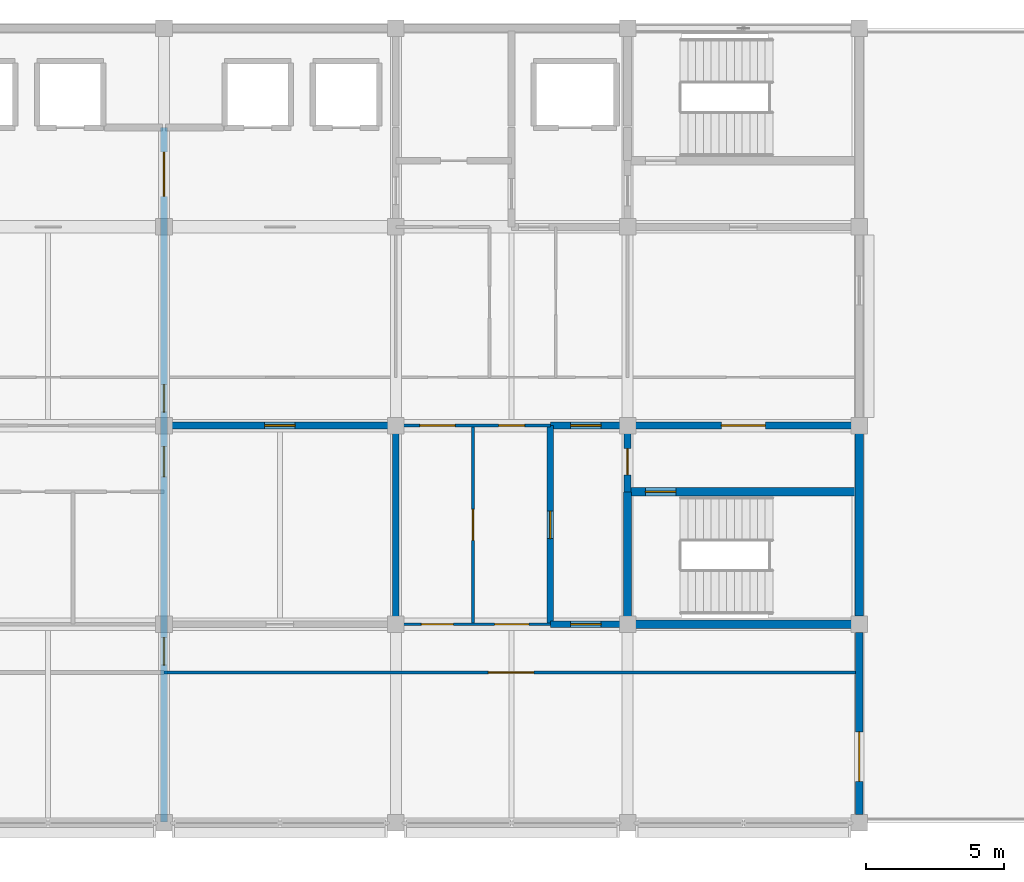
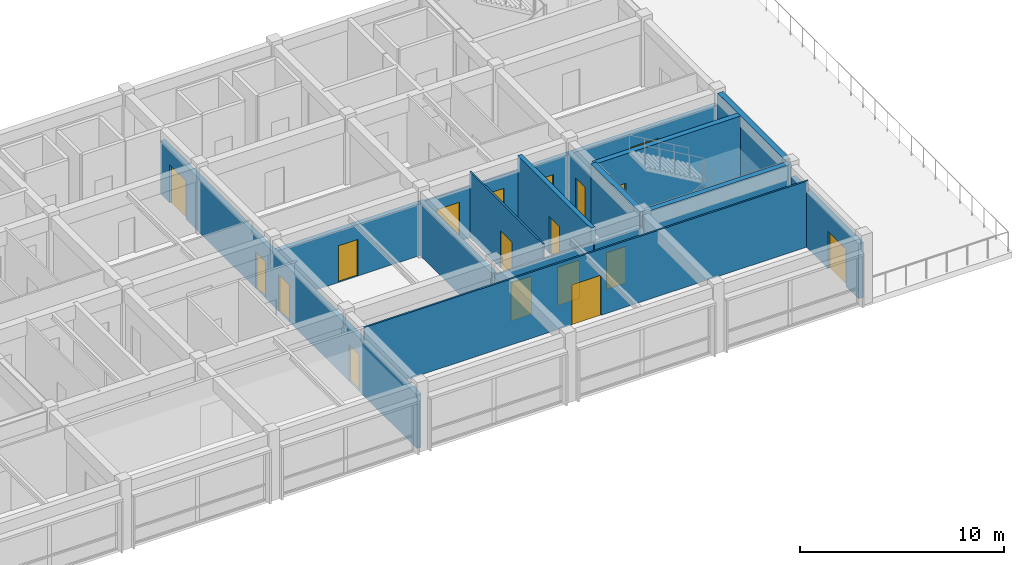
# One storey, part 9 of 13: 18 doors, 16 walls, 18 openings.
"""IFC4 building model written with IfcOpenShell, lengths in metres."""

from ifc_helpers import new_model, si_unit, direction, frame, frame_2d, origin, place, context, subcontext, project, spatial, rectangle, extrude, material, layer, layer_set, type_object, element, fill, save


model = new_model("IFC4")

# Units and contexts
model_context = context("Model", 3, precision=1e-05, world=origin(), true_north=direction((0.0, 1.0)))
body_context = subcontext(model_context, "Body", "Model", "MODEL_VIEW")
ifc_project = project(units=[si_unit("LENGTHUNIT", "METRE"), si_unit("AREAUNIT", "SQUARE_METRE"), si_unit("VOLUMEUNIT", "CUBIC_METRE"), si_unit("PLANEANGLEUNIT", "RADIAN"), si_unit("MASSUNIT", "GRAM", prefix="KILO")], contexts=[model_context])

# Site, building, storey
site_placement = place(None, origin())
site = spatial("IfcSite", under=ifc_project, at=site_placement, CompositionType="ELEMENT")
building_placement = place(site_placement, origin())
building = spatial("IfcBuilding", under=site, at=building_placement, Name="Chengyuan Square Courthouse", CompositionType="ELEMENT")
storey_placement = place(building_placement, frame((0.0, 0.0, 60.300048828125)))
storey = spatial("IfcBuildingStorey", under=building, at=storey_placement, Name="L14", CompositionType="ELEMENT", Elevation=60.300048828125)

# Wall, opening, door
ifc_material_1 = material(Name="Concrete C40", Category="concrete")
ifc_layer_1 = layer(ifc_material_1, 0.280029296875)
ifc_layer_set_1 = layer_set([ifc_layer_1], Name="Concrete C40")
wall_type_1 = type_object("IfcWallType", Name="WL-EW4", PredefinedType="STANDARD", material=ifc_layer_set_1)
wall_1_placement = place(storey_placement, frame((109.199951171875, 79.4951171875, 0.0), z_axis=(0.0, 0.0, 1.0), x_axis=(0.0, 1.0, 0.0)))
wall_1 = element("IfcWall", 1, at=wall_1_placement, inside=storey, type_object=wall_type_1, Name="Exterior Wall WL-L14-E517", PredefinedType="STANDARD", context=body_context, shape_type="SweptSolid", body=[
    extrude(rectangle(XDim=6.60986328125, YDim=0.280029296875, at=frame_2d((3.304931640625, 0.0))), origin(), (0.0, 0.0, 1.0), 3.31005859375),
])
opening_1_placement = place(wall_1_placement, frame((1.205078125, 0.0, 0.0)))
opening_1 = element("IfcOpeningElement", 2, at=opening_1_placement, cuts=wall_1, Name="Opening DR-009", PredefinedType="OPENING", context=body_context, shape_type="SweptSolid", body=[
    extrude(rectangle(XDim=1.800048828125, YDim=2.25, at=frame_2d((0.89990234375, 1.125))), frame((0.0, 0.152099609375, 0.0), z_axis=(0.0, -1.0, 0.0), x_axis=(1.0, 0.0, 0.0)), (0.0, 0.0, 1.0), 0.303955078125),
])
ifc_material_2 = material(Name="Thermally Broken Aluminium Terrace Door", Category="aluminium")
door_type_1 = type_object("IfcDoorType", Name="DT-02", OperationType="DOUBLE_DOOR_SINGLE_SWING", PredefinedType="DOOR", material=ifc_material_2)
door_1_placement = place(opening_1_placement, frame((1.800048828125, 0.0, 0.0), z_axis=(0.0, 0.0, 1.0), x_axis=(-1.0, 0.0, 0.0)))
door_1 = element("IfcDoor", 3, at=door_1_placement, inside=storey, type_object=door_type_1, Name="Planted Terrace Access Door DR-009", OperationType="DOUBLE_DOOR_SINGLE_SWING", OverallHeight=2.25, OverallWidth=1.800048828125, PredefinedType="DOOR", context=body_context, shape_type="SweptSolid", body=[
    extrude(rectangle(XDim=1.800048828125, YDim=2.25, at=frame_2d((0.89990234375, 1.125))), frame((0.0, 0.02490234375, 0.0), z_axis=(0.0, -1.0, 0.0), x_axis=(1.0, 0.0, 0.0)), (0.0, 0.0, 1.0), 0.050048828125),
])
fill(opening_1, door_1)

ifc_layer_2 = layer(ifc_material_1, 0.25)
ifc_layer_set_2 = layer_set([ifc_layer_2], Name="Concrete C40")
wall_type_2 = type_object("IfcWallType", Name="WL-FW1", PredefinedType="STANDARD", material=ifc_layer_set_2)
wall_2_placement = place(storey_placement, frame((98.0, 86.39990234375, 0.0), z_axis=(0.0, 0.0, 1.0), x_axis=(1.0, 0.0, 0.0)))
wall_2 = element("IfcWall", 4, at=wall_2_placement, inside=storey, type_object=wall_type_2, Name="Interior Wall WL-L14-I3908", PredefinedType="STANDARD", context=body_context, shape_type="SweptSolid", body=[
    extrude(rectangle(XDim=2.800048828125, YDim=0.25, at=frame_2d((1.39990234375, 0.0))), origin(), (0.0, 0.0, 1.0), 3.10986328125),
])
opening_2_placement = place(wall_2_placement, frame((0.739990234375, 0.0, 0.0)))
opening_2 = element("IfcOpeningElement", 5, at=opening_2_placement, cuts=wall_2, Name="Opening DR-3295", PredefinedType="OPENING", context=body_context, shape_type="SweptSolid", body=[
    extrude(rectangle(XDim=1.10009765625, YDim=2.199951171875, at=frame_2d((0.550048828125, 1.10009765625))), frame((0.0, 0.136962890625, 0.0), z_axis=(0.0, -1.0, 0.0), x_axis=(1.0, 0.0, 0.0)), (0.0, 0.0, 1.0), 0.27392578125),
])
ifc_material_3 = material(Name="Steel Q235B Fire Door", Category="steel")
door_type_2 = type_object("IfcDoorType", Name="DT-10", OperationType="NOTDEFINED", PredefinedType="DOOR", material=ifc_material_3)
door_2_placement = place(opening_2_placement, origin())
door_2 = element("IfcDoor", 6, at=door_2_placement, inside=storey, type_object=door_type_2, Name="Interior Door DR-3295", OperationType="SINGLE_SWING_RIGHT", OverallHeight=2.199951171875, OverallWidth=1.10009765625, PredefinedType="DOOR", context=body_context, shape_type="SweptSolid", body=[
    extrude(rectangle(XDim=1.10009765625, YDim=2.199951171875, at=frame_2d((0.550048828125, 1.10009765625))), frame((0.0, 0.02490234375, 0.0), z_axis=(0.0, -1.0, 0.0), x_axis=(1.0, 0.0, 0.0)), (0.0, 0.0, 1.0), 0.050048828125),
])
fill(opening_2, door_2)

wall_3_placement = place(storey_placement, frame((84.0, 93.60009765625, 0.0), z_axis=(0.0, 0.0, 1.0), x_axis=(1.0, 0.0, 0.0)))
wall_3 = element("IfcWall", 7, at=wall_3_placement, inside=storey, type_object=wall_type_2, Name="Interior Wall WL-L14-I3917", PredefinedType="STANDARD", context=body_context, shape_type="SweptSolid", body=[
    extrude(rectangle(XDim=8.39990234375, YDim=0.25, at=frame_2d((4.199951171875, 0.0))), origin(), (0.0, 0.0, 1.0), 3.10986328125),
])
opening_3_placement = place(wall_3_placement, frame((3.64990234375, 0.0, 0.0)))
opening_3 = element("IfcOpeningElement", 8, at=opening_3_placement, cuts=wall_3, Name="Opening DR-3277", PredefinedType="OPENING", context=body_context, shape_type="SweptSolid", body=[
    extrude(rectangle(XDim=1.10009765625, YDim=2.199951171875, at=frame_2d((0.550048828125, 1.10009765625))), frame((0.0, 0.136962890625, 0.0), z_axis=(0.0, -1.0, 0.0), x_axis=(1.0, 0.0, 0.0)), (0.0, 0.0, 1.0), 0.27392578125),
])
door_3_placement = place(opening_3_placement, origin())
door_3 = element("IfcDoor", 9, at=door_3_placement, inside=storey, type_object=door_type_2, Name="Interior Door DR-3277", OperationType="SINGLE_SWING_RIGHT", OverallHeight=2.199951171875, OverallWidth=1.10009765625, PredefinedType="DOOR", context=body_context, shape_type="SweptSolid", body=[
    extrude(rectangle(XDim=1.10009765625, YDim=2.199951171875, at=frame_2d((0.550048828125, 1.10009765625))), frame((0.0, 0.02490234375, 0.0), z_axis=(0.0, -1.0, 0.0), x_axis=(1.0, 0.0, 0.0)), (0.0, 0.0, 1.0), 0.050048828125),
])
fill(opening_3, door_3)

# Wall, openings, doors
wall_4_placement = place(storey_placement, frame((98.0, 93.60009765625, 0.0), z_axis=(0.0, 0.0, 1.0), x_axis=(1.0, 0.0, 0.0)))
wall_4 = element("IfcWall", 10, at=wall_4_placement, inside=storey, type_object=wall_type_2, Name="Interior Wall WL-L14-I3919", PredefinedType="STANDARD", context=body_context, shape_type="SweptSolid", body=[
    extrude(rectangle(XDim=11.159912109375, YDim=0.25, at=frame_2d((5.580078125, 0.0))), origin(), (0.0, 0.0, 1.0), 3.10986328125),
])
opening_4_placement = place(wall_4_placement, frame((6.199951171875, 0.0, 0.0)))
opening_4 = element("IfcOpeningElement", 11, at=opening_4_placement, cuts=wall_4, Name="Opening DR-3242", PredefinedType="OPENING", context=body_context, shape_type="SweptSolid", body=[
    extrude(rectangle(XDim=1.60009765625, YDim=2.300048828125, at=frame_2d((0.800048828125, 1.14990234375))), frame((0.0, 0.136962890625, 0.0), z_axis=(0.0, -1.0, 0.0), x_axis=(1.0, 0.0, 0.0)), (0.0, 0.0, 1.0), 0.27392578125),
])
opening_5_placement = place(wall_4_placement, frame((0.739990234375, 0.0, 0.0)))
opening_5 = element("IfcOpeningElement", 12, at=opening_5_placement, cuts=wall_4, Name="Opening DR-3280", PredefinedType="OPENING", context=body_context, shape_type="SweptSolid", body=[
    extrude(rectangle(XDim=1.10009765625, YDim=2.199951171875, at=frame_2d((0.550048828125, 1.10009765625))), frame((0.0, 0.136962890625, 0.0), z_axis=(0.0, -1.0, 0.0), x_axis=(1.0, 0.0, 0.0)), (0.0, 0.0, 1.0), 0.27392578125),
])
door_4_placement = place(opening_5_placement, origin())
door_4 = element("IfcDoor", 13, at=door_4_placement, inside=storey, type_object=door_type_2, Name="Interior Door DR-3280", OperationType="SINGLE_SWING_LEFT", OverallHeight=2.199951171875, OverallWidth=1.10009765625, PredefinedType="DOOR", context=body_context, shape_type="SweptSolid", body=[
    extrude(rectangle(XDim=1.10009765625, YDim=2.199951171875, at=frame_2d((0.550048828125, 1.10009765625))), frame((0.0, 0.02490234375, 0.0), z_axis=(0.0, -1.0, 0.0), x_axis=(1.0, 0.0, 0.0)), (0.0, 0.0, 1.0), 0.050048828125),
])
fill(opening_5, door_4)
ifc_material_4 = material(Name="Steel Q235B Glazed Fire Door", Category="steel")
door_type_3 = type_object("IfcDoorType", Name="DT-17", OperationType="DOUBLE_DOOR_SINGLE_SWING", PredefinedType="DOOR", material=ifc_material_4)
door_5_placement = place(opening_4_placement, frame((1.60009765625, 0.0, 0.0), z_axis=(0.0, 0.0, 1.0), x_axis=(-1.0, 0.0, 0.0)))
door_5 = element("IfcDoor", 14, at=door_5_placement, inside=storey, type_object=door_type_3, Name="Interior Door DR-3242", OperationType="DOUBLE_DOOR_SINGLE_SWING", OverallHeight=2.300048828125, OverallWidth=1.60009765625, PredefinedType="DOOR", context=body_context, shape_type="SweptSolid", body=[
    extrude(rectangle(XDim=1.60009765625, YDim=2.300048828125, at=frame_2d((0.800048828125, 1.14990234375))), frame((0.0, 0.02490234375, 0.0), z_axis=(0.0, -1.0, 0.0), x_axis=(1.0, 0.0, 0.0)), (0.0, 0.0, 1.0), 0.050048828125),
])
fill(opening_4, door_5)

wall_5_placement = place(storey_placement, frame((84.0, 79.239990234375, 0.0), z_axis=(0.0, 0.0, 1.0), x_axis=(0.0, 1.0, 0.0)))
wall_5 = element("IfcWall", 15, at=wall_5_placement, inside=storey, type_object=wall_type_2, Name="Interior Wall WL-L14-I3969", PredefinedType="STANDARD", context=body_context, shape_type="SweptSolid", body=[
    extrude(rectangle(XDim=25.159912109375, YDim=0.25, at=frame_2d((12.580078125, 0.0))), origin(), (0.0, 0.0, 1.0), 3.2099609375),
])
opening_6_placement = place(wall_5_placement, frame((22.669921875, 0.0, 0.0)))
opening_6 = element("IfcOpeningElement", 16, at=opening_6_placement, cuts=wall_5, Name="Opening DR-3254", PredefinedType="OPENING", context=body_context, shape_type="SweptSolid", body=[
    extrude(rectangle(XDim=1.60009765625, YDim=2.300048828125, at=frame_2d((0.800048828125, 1.14990234375))), frame((0.0, 0.136962890625, 0.0), z_axis=(0.0, -1.0, 0.0), x_axis=(1.0, 0.0, 0.0)), (0.0, 0.0, 1.0), 0.27392578125),
])
opening_7_placement = place(wall_5_placement, frame((12.5, 0.0, 0.0)))
opening_7 = element("IfcOpeningElement", 17, at=opening_7_placement, cuts=wall_5, Name="Opening DR-3262", PredefinedType="OPENING", context=body_context, shape_type="SweptSolid", body=[
    extrude(rectangle(XDim=1.10009765625, YDim=2.199951171875, at=frame_2d((0.550048828125, 1.10009765625))), frame((0.0, 0.136962890625, 0.0), z_axis=(0.0, -1.0, 0.0), x_axis=(1.0, 0.0, 0.0)), (0.0, 0.0, 1.0), 0.27392578125),
])
opening_8_placement = place(wall_5_placement, frame((14.844970703125, 0.0, 0.0)))
opening_8 = element("IfcOpeningElement", 18, at=opening_8_placement, cuts=wall_5, Name="Opening DR-3263", PredefinedType="OPENING", context=body_context, shape_type="SweptSolid", body=[
    extrude(rectangle(XDim=1.0, YDim=2.199951171875, at=frame_2d((0.5, 1.10009765625))), frame((0.0, 0.136962890625, 0.0), z_axis=(0.0, -1.0, 0.0), x_axis=(1.0, 0.0, 0.0)), (0.0, 0.0, 1.0), 0.27392578125),
])
opening_9_placement = place(wall_5_placement, frame((5.675048828125, 0.0, 0.0)))
opening_9 = element("IfcOpeningElement", 19, at=opening_9_placement, cuts=wall_5, Name="Opening DR-3296", PredefinedType="OPENING", context=body_context, shape_type="SweptSolid", body=[
    extrude(rectangle(XDim=1.0, YDim=2.199951171875, at=frame_2d((0.5, 1.10009765625))), frame((0.0, 0.136962890625, 0.0), z_axis=(0.0, -1.0, 0.0), x_axis=(1.0, 0.0, 0.0)), (0.0, 0.0, 1.0), 0.27392578125),
])
door_6_placement = place(opening_7_placement, origin())
door_6 = element("IfcDoor", 20, at=door_6_placement, inside=storey, type_object=door_type_2, Name="Interior Door DR-3262", OperationType="SINGLE_SWING_LEFT", OverallHeight=2.199951171875, OverallWidth=1.10009765625, PredefinedType="DOOR", context=body_context, shape_type="SweptSolid", body=[
    extrude(rectangle(XDim=1.10009765625, YDim=2.199951171875, at=frame_2d((0.550048828125, 1.10009765625))), frame((0.0, 0.02490234375, 0.0), z_axis=(0.0, -1.0, 0.0), x_axis=(1.0, 0.0, 0.0)), (0.0, 0.0, 1.0), 0.050048828125),
])
fill(opening_7, door_6)
door_type_4 = type_object("IfcDoorType", Name="DT-11", OperationType="NOTDEFINED", PredefinedType="DOOR", material=ifc_material_3)
door_7_placement = place(opening_8_placement, origin())
door_7 = element("IfcDoor", 21, at=door_7_placement, inside=storey, type_object=door_type_4, Name="Interior Door DR-3263", OperationType="SINGLE_SWING_RIGHT", OverallHeight=2.199951171875, OverallWidth=1.0, PredefinedType="DOOR", context=body_context, shape_type="SweptSolid", body=[
    extrude(rectangle(XDim=1.0, YDim=2.199951171875, at=frame_2d((0.5, 1.10009765625))), frame((0.0, 0.02490234375, 0.0), z_axis=(0.0, -1.0, 0.0), x_axis=(1.0, 0.0, 0.0)), (0.0, 0.0, 1.0), 0.050048828125),
])
fill(opening_8, door_7)
door_8_placement = place(opening_9_placement, origin())
door_8 = element("IfcDoor", 22, at=door_8_placement, inside=storey, type_object=door_type_4, Name="Interior Door DR-3296", OperationType="SINGLE_SWING_LEFT", OverallHeight=2.199951171875, OverallWidth=1.0, PredefinedType="DOOR", context=body_context, shape_type="SweptSolid", body=[
    extrude(rectangle(XDim=1.0, YDim=2.199951171875, at=frame_2d((0.5, 1.10009765625))), frame((0.0, 0.02490234375, 0.0), z_axis=(0.0, -1.0, 0.0), x_axis=(1.0, 0.0, 0.0)), (0.0, 0.0, 1.0), 0.050048828125),
])
fill(opening_9, door_8)
door_9_placement = place(opening_6_placement, frame((1.60009765625, 0.0, 0.0), z_axis=(0.0, 0.0, 1.0), x_axis=(-1.0, 0.0, 0.0)))
door_9 = element("IfcDoor", 23, at=door_9_placement, inside=storey, type_object=door_type_3, Name="Interior Door DR-3254", OperationType="DOUBLE_DOOR_SINGLE_SWING", OverallHeight=2.300048828125, OverallWidth=1.60009765625, PredefinedType="DOOR", context=body_context, shape_type="SweptSolid", body=[
    extrude(rectangle(XDim=1.60009765625, YDim=2.300048828125, at=frame_2d((0.800048828125, 1.14990234375))), frame((0.0, 0.02490234375, 0.0), z_axis=(0.0, -1.0, 0.0), x_axis=(1.0, 0.0, 0.0)), (0.0, 0.0, 1.0), 0.050048828125),
])
fill(opening_6, door_9)

# Wall
wall_6_placement = place(storey_placement, frame((92.39990234375, 86.39990234375, 0.0), z_axis=(0.0, 0.0, 1.0), x_axis=(0.0, 1.0, 0.0)))
element("IfcWall", 24, at=wall_6_placement, inside=storey, type_object=wall_type_2, Name="Interior Wall WL-L14-I3974", PredefinedType="STANDARD", context=body_context, shape_type="SweptSolid", body=[
    extrude(rectangle(XDim=7.2001953125, YDim=0.25, at=frame_2d((3.60009765625, 0.0))), origin(), (0.0, 0.0, 1.0), 3.2099609375),
])

# Wall, opening, door
wall_7_placement = place(storey_placement, frame((98.0, 86.39990234375, 0.0), z_axis=(0.0, 0.0, 1.0), x_axis=(0.0, 1.0, 0.0)))
wall_7 = element("IfcWall", 25, at=wall_7_placement, inside=storey, type_object=wall_type_2, Name="Interior Wall WL-L14-I3983", PredefinedType="STANDARD", context=body_context, shape_type="SweptSolid", body=[
    extrude(rectangle(XDim=7.2001953125, YDim=0.25, at=frame_2d((3.60009765625, 0.0))), origin(), (0.0, 0.0, 1.0), 3.9599609375),
])
opening_10_placement = place(wall_7_placement, frame((3.10009765625, 0.0, 0.0)))
opening_10 = element("IfcOpeningElement", 26, at=opening_10_placement, cuts=wall_7, Name="Opening DR-3293", PredefinedType="OPENING", context=body_context, shape_type="SweptSolid", body=[
    extrude(rectangle(XDim=1.0, YDim=2.199951171875, at=frame_2d((0.5, 1.10009765625))), frame((0.0, 0.136962890625, 0.0), z_axis=(0.0, -1.0, 0.0), x_axis=(1.0, 0.0, 0.0)), (0.0, 0.0, 1.0), 0.27392578125),
])
door_10_placement = place(opening_10_placement, origin())
door_10 = element("IfcDoor", 27, at=door_10_placement, inside=storey, type_object=door_type_4, Name="Interior Door DR-3293", OperationType="SINGLE_SWING_RIGHT", OverallHeight=2.199951171875, OverallWidth=1.0, PredefinedType="DOOR", context=body_context, shape_type="SweptSolid", body=[
    extrude(rectangle(XDim=1.0, YDim=2.199951171875, at=frame_2d((0.5, 1.10009765625))), frame((0.0, 0.02490234375, 0.0), z_axis=(0.0, -1.0, 0.0), x_axis=(1.0, 0.0, 0.0)), (0.0, 0.0, 1.0), 0.050048828125),
])
fill(opening_10, door_10)

wall_8_placement = place(storey_placement, frame((100.800048828125, 91.199951171875, 0.0), z_axis=(0.0, 0.0, 1.0), x_axis=(0.0, 1.0, 0.0)))
wall_8 = element("IfcWall", 28, at=wall_8_placement, inside=storey, type_object=wall_type_2, Name="Interior Wall WL-L14-I3987", PredefinedType="STANDARD", context=body_context, shape_type="SweptSolid", body=[
    extrude(rectangle(XDim=2.400146484375, YDim=0.25, at=frame_2d((1.2001953125, 0.0))), origin(), (0.0, 0.0, 1.0), 3.2099609375),
])
opening_11_placement = place(wall_8_placement, frame((0.614990234375, 0.0, 0.0)))
opening_11 = element("IfcOpeningElement", 29, at=opening_11_placement, cuts=wall_8, Name="Opening DR-3243", PredefinedType="OPENING", context=body_context, shape_type="SweptSolid", body=[
    extrude(rectangle(XDim=0.949951171875, YDim=2.14990234375, at=frame_2d((0.47509765625, 1.074951171875))), frame((0.0, 0.136962890625, 0.0), z_axis=(0.0, -1.0, 0.0), x_axis=(1.0, 0.0, 0.0)), (0.0, 0.0, 1.0), 0.27392578125),
])
door_type_5 = type_object("IfcDoorType", Name="DT-12", OperationType="NOTDEFINED", PredefinedType="DOOR", material=ifc_material_3)
door_11_placement = place(opening_11_placement, origin())
door_11 = element("IfcDoor", 30, at=door_11_placement, inside=storey, type_object=door_type_5, Name="Interior Door DR-3243", OperationType="SINGLE_SWING_RIGHT", OverallHeight=2.14990234375, OverallWidth=0.949951171875, PredefinedType="DOOR", context=body_context, shape_type="SweptSolid", body=[
    extrude(rectangle(XDim=0.949951171875, YDim=2.14990234375, at=frame_2d((0.47509765625, 1.074951171875))), frame((0.0, 0.02490234375, 0.0), z_axis=(0.0, -1.0, 0.0), x_axis=(1.0, 0.0, 0.0)), (0.0, 0.0, 1.0), 0.050048828125),
])
fill(opening_11, door_11)

ifc_material_5 = material(Name="Gypsum Plasterboard Acoustic Stud Partition")
ifc_layer_3 = layer(ifc_material_5, 0.10009765625)
ifc_layer_set_3 = layer_set([ifc_layer_3], Name="Gypsum Plasterboard Acoustic Stud Partition")
wall_type_3 = type_object("IfcWallType", Name="WL-PT6", PredefinedType="STANDARD", material=ifc_layer_set_3)
wall_9_placement = place(storey_placement, frame((84.0, 84.64990234375, 0.0), z_axis=(0.0, 0.0, 1.0), x_axis=(1.0, 0.0, 0.0)))
wall_9 = element("IfcWall", 31, at=wall_9_placement, inside=storey, type_object=wall_type_3, Name="Interior Wall WL-L14-I3901", PredefinedType="STANDARD", context=body_context, shape_type="SweptSolid", body=[
    extrude(rectangle(XDim=25.159912109375, YDim=0.10009765625, at=frame_2d((12.580078125, 0.0))), origin(), (0.0, 0.0, 1.0), 3.9599609375),
])
opening_12_placement = place(wall_9_placement, frame((11.7548828125, 0.0, 0.0)))
opening_12 = element("IfcOpeningElement", 32, at=opening_12_placement, cuts=wall_9, Name="Opening DR-3299", PredefinedType="OPENING", context=body_context, shape_type="SweptSolid", body=[
    extrude(rectangle(XDim=1.64990234375, YDim=2.39990234375, at=frame_2d((0.824951171875, 1.199951171875))), frame((0.0, 0.06201171875, 0.0), z_axis=(0.0, -1.0, 0.0), x_axis=(1.0, 0.0, 0.0)), (0.0, 0.0, 1.0), 0.1240234375),
])
ifc_material_6 = material(Name="Acoustic Larch Veneer Double Door")
door_type_6 = type_object("IfcDoorType", Name="DT-22", OperationType="DOUBLE_DOOR_SINGLE_SWING", PredefinedType="DOOR", material=ifc_material_6)
door_12_placement = place(opening_12_placement, frame((1.64990234375, 0.0, 0.0), z_axis=(0.0, 0.0, 1.0), x_axis=(-1.0, 0.0, 0.0)))
door_12 = element("IfcDoor", 33, at=door_12_placement, inside=storey, type_object=door_type_6, Name="Interior Door DR-3299", OperationType="DOUBLE_DOOR_SINGLE_SWING", OverallHeight=2.39990234375, OverallWidth=1.64990234375, PredefinedType="DOOR", context=body_context, shape_type="SweptSolid", body=[
    extrude(rectangle(XDim=1.64990234375, YDim=2.39990234375, at=frame_2d((0.824951171875, 1.199951171875))), frame((0.0, 0.02490234375, 0.0), z_axis=(0.0, -1.0, 0.0), x_axis=(1.0, 0.0, 0.0)), (0.0, 0.0, 1.0), 0.050048828125),
])
fill(opening_12, door_12)

# Wall, openings, doors
wall_10_placement = place(storey_placement, frame((92.39990234375, 86.39990234375, 0.0), z_axis=(0.0, 0.0, 1.0), x_axis=(1.0, 0.0, 0.0)))
wall_10 = element("IfcWall", 34, at=wall_10_placement, inside=storey, type_object=wall_type_3, Name="Interior Wall WL-L14-I3907", PredefinedType="STANDARD", context=body_context, shape_type="SweptSolid", body=[
    extrude(rectangle(XDim=5.60009765625, YDim=0.10009765625, at=frame_2d((2.800048828125, 0.0))), origin(), (0.0, 0.0, 1.0), 3.10986328125),
])
opening_13_placement = place(wall_10_placement, frame((0.929931640625, 0.0, 0.0)))
opening_13 = element("IfcOpeningElement", 35, at=opening_13_placement, cuts=wall_10, Name="Opening DR-3292", PredefinedType="OPENING", context=body_context, shape_type="SweptSolid", body=[
    extrude(rectangle(XDim=1.159912109375, YDim=2.300048828125, at=frame_2d((0.580078125, 1.14990234375))), frame((0.0, 0.06201171875, 0.0), z_axis=(0.0, -1.0, 0.0), x_axis=(1.0, 0.0, 0.0)), (0.0, 0.0, 1.0), 0.1240234375),
])
opening_14_placement = place(wall_10_placement, frame((3.580078125, 0.0, 0.0)))
opening_14 = element("IfcOpeningElement", 36, at=opening_14_placement, cuts=wall_10, Name="Opening DR-3294", PredefinedType="OPENING", context=body_context, shape_type="SweptSolid", body=[
    extrude(rectangle(XDim=1.239990234375, YDim=2.300048828125, at=frame_2d((0.6201171875, 1.14990234375))), frame((0.0, 0.06201171875, 0.0), z_axis=(0.0, -1.0, 0.0), x_axis=(1.0, 0.0, 0.0)), (0.0, 0.0, 1.0), 0.1240234375),
])
ifc_material_7 = material(Name="Acoustic Solid-Core Timber Door", Category="wood")
door_type_7 = type_object("IfcDoorType", Name="DT-35", OperationType="NOTDEFINED", PredefinedType="DOOR", material=ifc_material_7)
door_13_placement = place(opening_13_placement, origin())
door_13 = element("IfcDoor", 37, at=door_13_placement, inside=storey, type_object=door_type_7, Name="Interior Door DR-3292", OperationType="SINGLE_SWING_LEFT", OverallHeight=2.300048828125, OverallWidth=1.159912109375, PredefinedType="DOOR", context=body_context, shape_type="SweptSolid", body=[
    extrude(rectangle(XDim=1.159912109375, YDim=2.300048828125, at=frame_2d((0.580078125, 1.14990234375))), frame((0.0, 0.02490234375, 0.0), z_axis=(0.0, -1.0, 0.0), x_axis=(1.0, 0.0, 0.0)), (0.0, 0.0, 1.0), 0.050048828125),
])
fill(opening_13, door_13)
door_type_8 = type_object("IfcDoorType", Name="DT-37", OperationType="NOTDEFINED", PredefinedType="DOOR", material=ifc_material_7)
door_14_placement = place(opening_14_placement, origin())
door_14 = element("IfcDoor", 38, at=door_14_placement, inside=storey, type_object=door_type_8, Name="Interior Door DR-3294", OperationType="SINGLE_SWING_LEFT", OverallHeight=2.300048828125, OverallWidth=1.239990234375, PredefinedType="DOOR", context=body_context, shape_type="SweptSolid", body=[
    extrude(rectangle(XDim=1.239990234375, YDim=2.300048828125, at=frame_2d((0.6201171875, 1.14990234375))), frame((0.0, 0.02490234375, 0.0), z_axis=(0.0, -1.0, 0.0), x_axis=(1.0, 0.0, 0.0)), (0.0, 0.0, 1.0), 0.050048828125),
])
fill(opening_14, door_14)

wall_11_placement = place(storey_placement, frame((92.39990234375, 93.60009765625, 0.0), z_axis=(0.0, 0.0, 1.0), x_axis=(1.0, 0.0, 0.0)))
wall_11 = element("IfcWall", 39, at=wall_11_placement, inside=storey, type_object=wall_type_3, Name="Interior Wall WL-L14-I3918", PredefinedType="STANDARD", context=body_context, shape_type="SweptSolid", body=[
    extrude(rectangle(XDim=5.60009765625, YDim=0.10009765625, at=frame_2d((2.800048828125, 0.0))), origin(), (0.0, 0.0, 1.0), 3.10986328125),
])
opening_15_placement = place(wall_11_placement, frame((0.8701171875, 0.0, 0.0)))
opening_15 = element("IfcOpeningElement", 40, at=opening_15_placement, cuts=wall_11, Name="Opening DR-3278", PredefinedType="OPENING", context=body_context, shape_type="SweptSolid", body=[
    extrude(rectangle(XDim=1.280029296875, YDim=2.35009765625, at=frame_2d((0.64013671875, 1.175048828125))), frame((0.0, 0.06201171875, 0.0), z_axis=(0.0, -1.0, 0.0), x_axis=(1.0, 0.0, 0.0)), (0.0, 0.0, 1.0), 0.1240234375),
])
opening_16_placement = place(wall_11_placement, frame((3.72998046875, 0.0, 0.0)))
opening_16 = element("IfcOpeningElement", 41, at=opening_16_placement, cuts=wall_11, Name="Opening DR-3279", PredefinedType="OPENING", context=body_context, shape_type="SweptSolid", body=[
    extrude(rectangle(XDim=0.93994140625, YDim=2.300048828125, at=frame_2d((0.469970703125, 1.14990234375))), frame((0.0, 0.06201171875, 0.0), z_axis=(0.0, -1.0, 0.0), x_axis=(1.0, 0.0, 0.0)), (0.0, 0.0, 1.0), 0.1240234375),
])
door_type_9 = type_object("IfcDoorType", Name="DT-38", OperationType="NOTDEFINED", PredefinedType="DOOR", material=ifc_material_7)
door_15_placement = place(opening_15_placement, origin())
door_15 = element("IfcDoor", 42, at=door_15_placement, inside=storey, type_object=door_type_9, Name="Interior Door DR-3278", OperationType="SINGLE_SWING_LEFT", OverallHeight=2.35009765625, OverallWidth=1.280029296875, PredefinedType="DOOR", context=body_context, shape_type="SweptSolid", body=[
    extrude(rectangle(XDim=1.280029296875, YDim=2.35009765625, at=frame_2d((0.64013671875, 1.175048828125))), frame((0.0, 0.02490234375, 0.0), z_axis=(0.0, -1.0, 0.0), x_axis=(1.0, 0.0, 0.0)), (0.0, 0.0, 1.0), 0.050048828125),
])
fill(opening_15, door_15)
door_type_10 = type_object("IfcDoorType", Name="DT-39", OperationType="NOTDEFINED", PredefinedType="DOOR", material=ifc_material_7)
door_16_placement = place(opening_16_placement, origin())
door_16 = element("IfcDoor", 43, at=door_16_placement, inside=storey, type_object=door_type_10, Name="Interior Door DR-3279", OperationType="SINGLE_SWING_RIGHT", OverallHeight=2.300048828125, OverallWidth=0.93994140625, PredefinedType="DOOR", context=body_context, shape_type="SweptSolid", body=[
    extrude(rectangle(XDim=0.93994140625, YDim=2.300048828125, at=frame_2d((0.469970703125, 1.14990234375))), frame((0.0, 0.02490234375, 0.0), z_axis=(0.0, -1.0, 0.0), x_axis=(1.0, 0.0, 0.0)), (0.0, 0.0, 1.0), 0.050048828125),
])
fill(opening_16, door_16)

# Wall, opening, door
wall_12_placement = place(storey_placement, frame((95.199951171875, 86.39990234375, 0.0), z_axis=(0.0, 0.0, 1.0), x_axis=(0.0, 1.0, 0.0)))
wall_12 = element("IfcWall", 44, at=wall_12_placement, inside=storey, type_object=wall_type_3, Name="Interior Wall WL-L14-I3978", PredefinedType="STANDARD", context=body_context, shape_type="SweptSolid", body=[
    extrude(rectangle(XDim=7.2001953125, YDim=0.10009765625, at=frame_2d((3.60009765625, 0.0))), origin(), (0.0, 0.0, 1.0), 3.9599609375),
])
opening_17_placement = place(wall_12_placement, frame((3.0400390625, 0.0, 0.0)))
opening_17 = element("IfcOpeningElement", 45, at=opening_17_placement, cuts=wall_12, Name="Opening DR-3291", PredefinedType="OPENING", context=body_context, shape_type="SweptSolid", body=[
    extrude(rectangle(XDim=1.1201171875, YDim=2.25, at=frame_2d((0.56005859375, 1.125))), frame((0.0, 0.06201171875, 0.0), z_axis=(0.0, -1.0, 0.0), x_axis=(1.0, 0.0, 0.0)), (0.0, 0.0, 1.0), 0.1240234375),
])
door_type_11 = type_object("IfcDoorType", Name="DT-34", OperationType="NOTDEFINED", PredefinedType="DOOR", material=ifc_material_7)
door_17_placement = place(opening_17_placement, origin())
door_17 = element("IfcDoor", 46, at=door_17_placement, inside=storey, type_object=door_type_11, Name="Interior Door DR-3291", OperationType="SINGLE_SWING_RIGHT", OverallHeight=2.25, OverallWidth=1.1201171875, PredefinedType="DOOR", context=body_context, shape_type="SweptSolid", body=[
    extrude(rectangle(XDim=1.1201171875, YDim=2.25, at=frame_2d((0.56005859375, 1.125))), frame((0.0, 0.02490234375, 0.0), z_axis=(0.0, -1.0, 0.0), x_axis=(1.0, 0.0, 0.0)), (0.0, 0.0, 1.0), 0.050048828125),
])
fill(opening_17, door_17)

# Walls
ifc_layer_4 = layer(ifc_material_1, 0.300048828125)
ifc_layer_set_4 = layer_set([ifc_layer_4], Name="Concrete C40")
wall_type_4 = type_object("IfcWallType", Name="WL-SW2", PredefinedType="SHEAR", material=ifc_layer_set_4)
wall_13_placement = place(storey_placement, frame((109.199951171875, 86.695068359375, 0.0), z_axis=(0.0, 0.0, 1.0), x_axis=(0.0, 1.0, 0.0)))
element("IfcWall", 47, at=wall_13_placement, inside=storey, type_object=wall_type_4, Name="Exterior Wall WL-L14-E518", PredefinedType="SHEAR", context=body_context, shape_type="SweptSolid", body=[
    extrude(rectangle(XDim=6.60986328125, YDim=0.300048828125, at=frame_2d((3.304931640625, 0.0))), origin(), (0.0, 0.0, 1.0), 3.9599609375),
])
wall_14_placement = place(storey_placement, frame((100.800048828125, 86.39990234375, 0.0), z_axis=(0.0, 0.0, 1.0), x_axis=(1.0, 0.0, 0.0)))
element("IfcWall", 48, at=wall_14_placement, inside=storey, type_object=wall_type_4, Name="Interior Wall WL-L14-I3909", PredefinedType="SHEAR", context=body_context, shape_type="SweptSolid", body=[
    extrude(rectangle(XDim=8.35986328125, YDim=0.300048828125, at=frame_2d((4.179931640625, 0.0))), origin(), (0.0, 0.0, 1.0), 3.9599609375),
])

# Wall, opening, door
wall_15_placement = place(storey_placement, frame((100.800048828125, 91.199951171875, 0.0), z_axis=(0.0, 0.0, 1.0), x_axis=(1.0, 0.0, 0.0)))
wall_15 = element("IfcWall", 49, at=wall_15_placement, inside=storey, type_object=wall_type_4, Name="Interior Wall WL-L14-I3912", PredefinedType="SHEAR", context=body_context, shape_type="SweptSolid", body=[
    extrude(rectangle(XDim=8.35986328125, YDim=0.300048828125, at=frame_2d((4.179931640625, 0.0))), origin(), (0.0, 0.0, 1.0), 3.9599609375),
])
opening_18_placement = place(wall_15_placement, frame((0.64990234375, 0.0, 0.0)))
opening_18 = element("IfcOpeningElement", 50, at=opening_18_placement, cuts=wall_15, Name="Opening DR-3235", PredefinedType="OPENING", context=body_context, shape_type="SweptSolid", body=[
    extrude(rectangle(XDim=1.10009765625, YDim=2.199951171875, at=frame_2d((0.550048828125, 1.10009765625))), frame((0.0, 0.162109375, 0.0), z_axis=(0.0, -1.0, 0.0), x_axis=(1.0, 0.0, 0.0)), (0.0, 0.0, 1.0), 0.323974609375),
])
door_18_placement = place(opening_18_placement, frame((1.10009765625, 0.0, 0.0), z_axis=(0.0, 0.0, 1.0), x_axis=(-1.0, 0.0, 0.0)))
door_18 = element("IfcDoor", 51, at=door_18_placement, inside=storey, type_object=door_type_2, Name="Smoke-Proof Stairwell Fire Door ST-4 DR-3235", OperationType="SINGLE_SWING_RIGHT", OverallHeight=2.199951171875, OverallWidth=1.10009765625, PredefinedType="DOOR", context=body_context, shape_type="SweptSolid", body=[
    extrude(rectangle(XDim=1.10009765625, YDim=2.199951171875, at=frame_2d((0.550048828125, 1.10009765625))), frame((0.0, 0.02490234375, 0.0), z_axis=(0.0, -1.0, 0.0), x_axis=(1.0, 0.0, 0.0)), (0.0, 0.0, 1.0), 0.050048828125),
])
fill(opening_18, door_18)

# Wall
wall_16_placement = place(storey_placement, frame((100.800048828125, 86.39990234375, 0.0), z_axis=(0.0, 0.0, 1.0), x_axis=(0.0, 1.0, 0.0)))
element("IfcWall", 52, at=wall_16_placement, inside=storey, type_object=wall_type_4, Name="Interior Wall WL-L14-I3986", PredefinedType="SHEAR", context=body_context, shape_type="SweptSolid", body=[
    extrude(rectangle(XDim=4.800048828125, YDim=0.300048828125, at=frame_2d((2.39990234375, 0.0))), origin(), (0.0, 0.0, 1.0), 3.9599609375),
])

save(model, "model.ifc")
